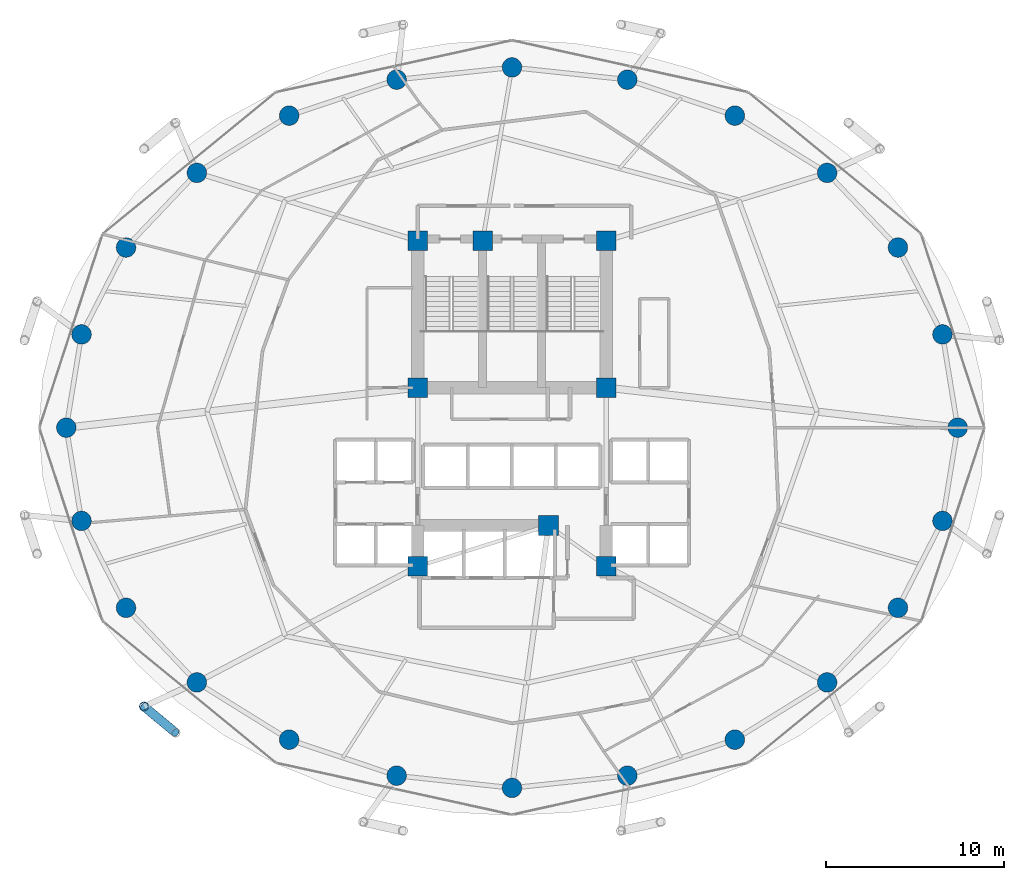
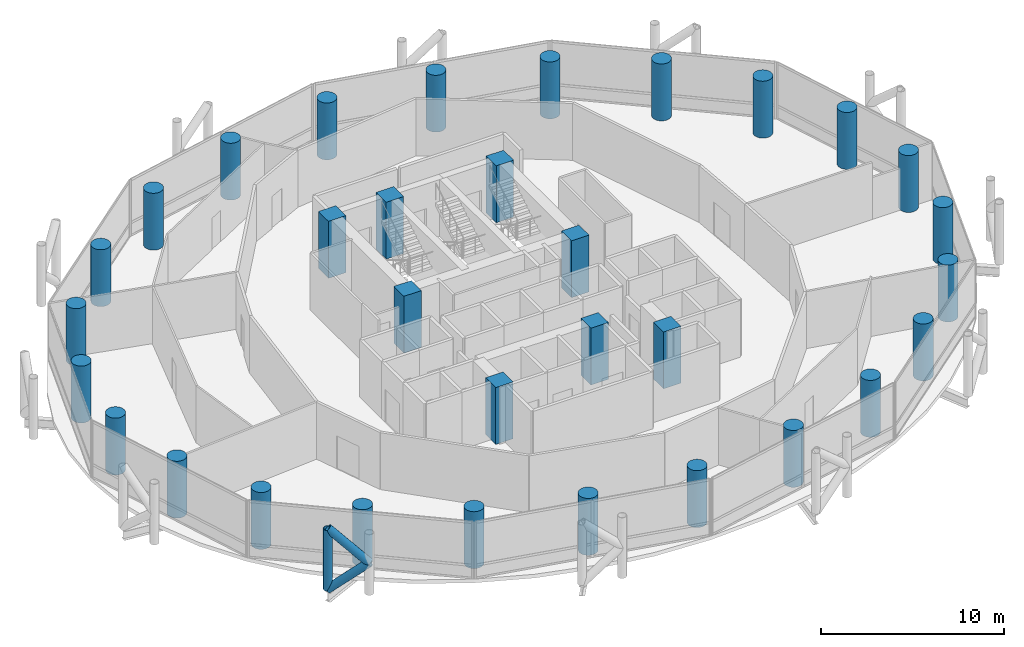
# One storey, part 1 of 24: 32 columns, 3 members.
"""IFC4 building model written with IfcOpenShell, lengths in metres."""

from ifc_helpers import new_model, si_unit, direction, frame, origin, origin_2d, place, context, subcontext, project, spatial, rectangle, circle, hollow_circle, extrude, material, material_profile, profile_set, type_object, element, save


model = new_model("IFC4")

# Units and contexts
model_context = context("Model", 3, precision=1e-05, world=origin(), true_north=direction((0.0, 1.0)))
body_context = subcontext(model_context, "Body", "Model", "MODEL_VIEW")
ifc_project = project(units=[si_unit("LENGTHUNIT", "METRE"), si_unit("AREAUNIT", "SQUARE_METRE"), si_unit("VOLUMEUNIT", "CUBIC_METRE"), si_unit("PLANEANGLEUNIT", "RADIAN"), si_unit("MASSUNIT", "GRAM", prefix="KILO")], contexts=[model_context])

# Site, building, storey
site_placement = place(None, origin())
site = spatial("IfcSite", under=ifc_project, at=site_placement, CompositionType="ELEMENT")
building_placement = place(site_placement, origin())
building = spatial("IfcBuilding", under=site, at=building_placement, Name="Nuhasar Tower", CompositionType="ELEMENT")
storey_placement = place(building_placement, frame((0.0, 0.0, 81.75)))
storey = spatial("IfcBuildingStorey", under=building, at=storey_placement, Name="L19", CompositionType="ELEMENT", Elevation=81.75)

# Columns
ifc_material_1 = material(Name="Concrete C80/95", Category="concrete")
ifc_material_profile_1 = material_profile(ifc_material_1, circle(Radius=0.550048828125, at=origin_2d()), Name="CFT1100")
ifc_profile_set_1 = profile_set([ifc_material_profile_1], Name="Concrete C80/95")
column_type_1 = type_object("IfcColumnType", Name="COL-CFT-1100", PredefinedType="COLUMN", material=ifc_profile_set_1)
for number, where, z_axis, x_axis, name in (
    (1, (64.050048828125, 26.800048828125, 0.0), (0.0, 0.0, 1.0), (1.0, 0.0, 0.0), "L19 Perimeter Composite Column TC-01"),
    (2, (63.196044921875, 32.041015625, 0.0), (0.0, 0.0, 1.0), (1.0, 0.0, 0.0), "L19 Perimeter Composite Column TC-02"),
    (3, (60.694091796875, 36.925048828125, 0.0), (0.0, 0.0, 1.0), (1.0, 0.0, 0.0), "L19 Perimeter Composite Column TC-03"),
    (4, (56.712890625, 41.118896484375, 0.0), (0.0, 0.0, 1.0), (1.0, 0.0, 0.0), "L19 Perimeter Composite Column TC-04"),
    (5, (51.52490234375, 44.3369140625, 0.0), (0.0, 0.0, 1.0), (1.0, 0.0, 0.0), "L19 Perimeter Composite Column TC-05"),
    (6, (45.48291015625, 46.360107421875, 0.0), (0.0, 0.0, 1.0), (1.0, 0.0, 0.0), "L19 Perimeter Composite Column TC-06"),
    (7, (39.0, 47.050048828125, 0.0), (0.0, 0.0, 1.0), (1.0, 0.0, 0.0), "L19 Perimeter Composite Column TC-07"),
    (8, (32.51708984375, 46.360107421875, 0.0), (0.0, 0.0, 1.0), (1.0, 0.0, 0.0), "L19 Perimeter Composite Column TC-08"),
    (9, (26.47509765625, 44.3369140625, 0.0), (0.0, 0.0, 1.0), (1.0, 0.0, 0.0), "L19 Perimeter Composite Column TC-09"),
    (10, (21.287109375, 41.118896484375, 0.0), (0.0, 0.0, 1.0), (1.0, 0.0, 0.0), "L19 Perimeter Composite Column TC-10"),
    (11, (17.305908203125, 36.925048828125, 0.0), (0.0, 0.0, 1.0), (1.0, 0.0, 0.0), "L19 Perimeter Composite Column TC-11"),
    (12, (14.803955078125, 32.041015625, 0.0), (0.0, 0.0, 1.0), (1.0, 0.0, 0.0), "L19 Perimeter Composite Column TC-12"),
    (13, (13.949951171875, 26.800048828125, 0.0), (0.0, 0.0, 1.0), (1.0, 0.0, 0.0), "L19 Perimeter Composite Column TC-13"),
    (14, (14.803955078125, 21.55908203125, 0.0), (0.0, 0.0, 1.0), (1.0, 0.0, 0.0), "L19 Perimeter Composite Column TC-14"),
    (15, (17.305908203125, 16.675048828125, 0.0), (0.0, 0.0, 1.0), (1.0, 0.0, 0.0), "L19 Perimeter Composite Column TC-15"),
    (16, (21.287109375, 12.48095703125, 0.0), (0.0, 0.0, 1.0), (1.0, 0.0, 0.0), "L19 Perimeter Composite Column TC-16"),
    (17, (26.47509765625, 9.262939453125, 0.0), (0.0, 0.0, 1.0), (1.0, 0.0, 0.0), "L19 Perimeter Composite Column TC-17"),
    (18, (32.51708984375, 7.239990234375, 0.0), (0.0, 0.0, 1.0), (1.0, 0.0, 0.0), "L19 Perimeter Composite Column TC-18"),
    (19, (39.0, 6.550048828125, 0.0), (0.0, 0.0, 1.0), (1.0, 0.0, 0.0), "L19 Perimeter Composite Column TC-19"),
    (20, (45.48291015625, 7.239990234375, 0.0), (0.0, 0.0, 1.0), (1.0, 0.0, 0.0), "L19 Perimeter Composite Column TC-20"),
    (21, (51.52490234375, 9.262939453125, 0.0), (0.0, 0.0, 1.0), (1.0, 0.0, 0.0), "L19 Perimeter Composite Column TC-21"),
    (22, (56.712890625, 12.48095703125, 0.0), (0.0, 0.0, 1.0), (1.0, 0.0, 0.0), "L19 Perimeter Composite Column TC-22"),
    (23, (60.694091796875, 16.675048828125, 0.0), (0.0, 0.0, 1.0), (1.0, 0.0, 0.0), "L19 Perimeter Composite Column TC-23"),
    (24, (63.196044921875, 21.55908203125, 0.0), (0.0, 0.0, 1.0), (1.0, 0.0, 0.0), "L19 Perimeter Composite Column TC-24"),
):
    element("IfcColumn", number, at=place(storey_placement, frame(where, z_axis=z_axis, x_axis=x_axis)), inside=storey, type_object=column_type_1, Name=name, PredefinedType="COLUMN", context=body_context, shape_type="SweptSolid", body=[
        extrude(circle(Radius=0.550048828125, at=origin_2d()), origin(), (0.0, 0.0, 1.0), 3.800048828125),
    ])
ifc_material_profile_2 = material_profile(ifc_material_1, rectangle(XDim=1.10009765625, YDim=1.10009765625, at=origin_2d()), Name="RC1100X1100")
ifc_profile_set_2 = profile_set([ifc_material_profile_2], Name="Concrete C80/95")
column_type_2 = type_object("IfcColumnType", Name="PIL-RC-1100", PredefinedType="PILASTER", material=ifc_profile_set_2)
for number, where, z_axis, x_axis, name in (
    (25, (33.699951171875, 19.0, 0.0), (0.0, 0.0, 1.0), (1.0, 0.0, 0.0), "L19 Core Boundary Pilaster CC-01"),
    (26, (41.050048828125, 21.300048828125, 0.0), (0.0, 0.0, 1.0), (1.0, 0.0, 0.0), "L19 Core Boundary Pilaster CC-02"),
    (27, (44.300048828125, 19.0, 0.0), (0.0, 0.0, 1.0), (1.0, 0.0, 0.0), "L19 Core Boundary Pilaster CC-03"),
    (28, (44.300048828125, 29.050048828125, 0.0), (0.0, 0.0, 1.0), (1.0, 0.0, 0.0), "L19 Core Boundary Pilaster CC-04"),
    (29, (44.300048828125, 37.300048828125, 0.0), (0.0, 0.0, 1.0), (1.0, 0.0, 0.0), "L19 Core Boundary Pilaster CC-05"),
    (30, (37.35009765625, 37.300048828125, 0.0), (0.0, 0.0, 1.0), (1.0, 0.0, 0.0), "L19 Core Boundary Pilaster CC-06"),
    (31, (33.699951171875, 37.300048828125, 0.0), (0.0, 0.0, 1.0), (1.0, 0.0, 0.0), "L19 Core Boundary Pilaster CC-07"),
    (32, (33.699951171875, 29.050048828125, 0.0), (0.0, 0.0, 1.0), (1.0, 0.0, 0.0), "L19 Core Boundary Pilaster CC-08"),
):
    element("IfcColumn", number, at=place(storey_placement, frame(where, z_axis=z_axis, x_axis=x_axis)), inside=storey, type_object=column_type_2, Name=name, PredefinedType="PILASTER", context=body_context, shape_type="SweptSolid", body=[
        extrude(rectangle(XDim=1.10009765625, YDim=1.10009765625, at=origin_2d()), origin(), (0.0, 0.0, 1.0), 3.800048828125),
    ])

# Members
ifc_material_2 = material(Name="Steel S460", Category="steel")
ifc_material_profile_3 = material_profile(ifc_material_2, hollow_circle(Radius=0.25390625, WallThickness=0.025390625, at=origin_2d()), Name="HSS508X25.4")
ifc_profile_set_3 = profile_set([ifc_material_profile_3], Name="Steel S460")
member_type = type_object("IfcMemberType", Name="EXO-BRONZE-508", PredefinedType="BRACE", material=ifc_profile_set_3)
member_1_placement = place(storey_placement, frame((18.31494140625, 11.12890625, 0.0), z_axis=(0.0, 0.0, 1.0), x_axis=(1.0, 0.0, 0.0)))
element("IfcMember", 33, at=member_1_placement, inside=storey, type_object=member_type, Name="L19 Exoskeleton Chord Column EC-08A", PredefinedType="BRACE", context=body_context, shape_type="SweptSolid", body=[
    extrude(hollow_circle(Radius=0.25390625, WallThickness=0.025390625, at=origin_2d()), origin(), (0.0, 0.0, 1.0), 4.050048828125),
])
member_2_placement = place(storey_placement, frame((18.31494140625, 11.12890625, 0.0), z_axis=(0.578101613167, -0.478937034992, 0.660619286251), x_axis=(0.637969333506, 0.770061769929, 0.0)))
element("IfcMember", 34, at=member_2_placement, inside=storey, type_object=member_type, Name="L19 Bronze Diagrid Brace W1-08", PredefinedType="BRACE", context=body_context, shape_type="SweptSolid", body=[
    extrude(hollow_circle(Radius=0.25390625, WallThickness=0.025390625, at=origin_2d()), origin(), (0.0, 0.0, 1.0), 3.065185546875),
])
member_3_placement = place(storey_placement, frame((20.0869140625, 9.660888671875, 2.02490234375), z_axis=(-0.578071194894, 0.478911834514, 0.660664172175), x_axis=(-0.637969333506, -0.770061769929, 0.0)))
element("IfcMember", 35, at=member_3_placement, inside=storey, type_object=member_type, Name="L19 Bronze Diagrid Brace W2-08", PredefinedType="BRACE", context=body_context, shape_type="SweptSolid", body=[
    extrude(hollow_circle(Radius=0.25390625, WallThickness=0.025390625, at=origin_2d()), origin(), (0.0, 0.0, 1.0), 3.0654296875),
])

save(model, "model.ifc")
